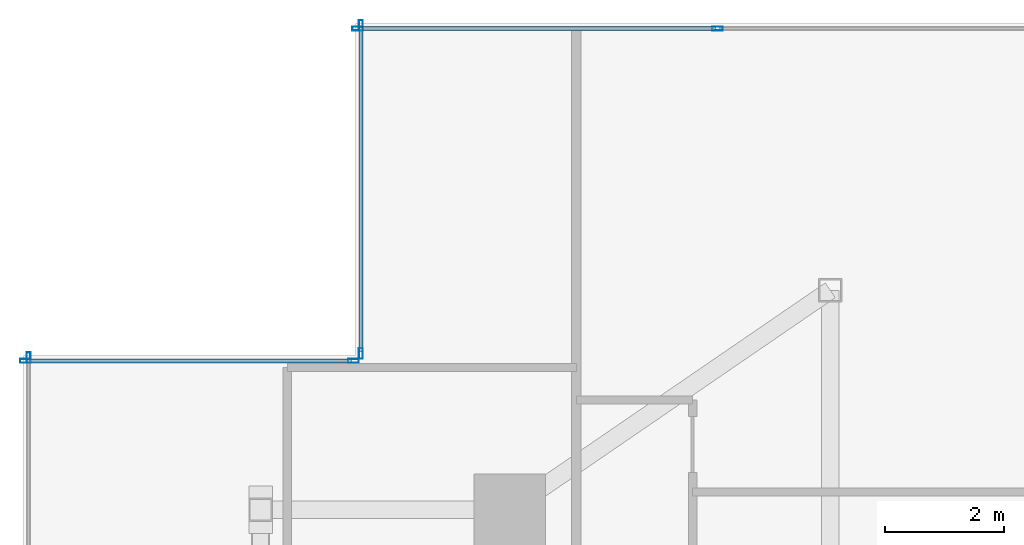
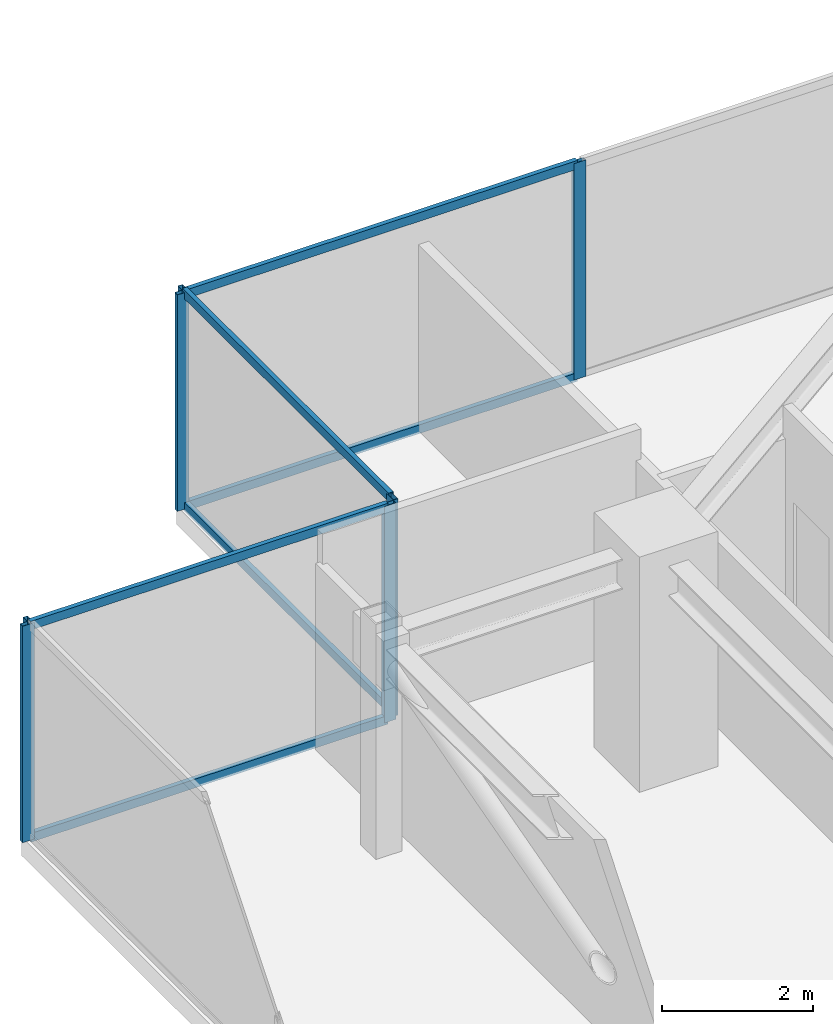
# One storey, part 19 of 25: 13 members, 4 elements without a shape of their own.
"""IFC4 building model written with IfcOpenShell, lengths in metres."""

from ifc_helpers import new_model, si_unit, direction, frame, origin, origin_2d, place, context, subcontext, project, spatial, hollow_rectangle, extrude, source, transform, mapped, material, material_profile, profile_set, type_object, type_shapes, element, aggregate, save


model = new_model("IFC4")

# Units and contexts
model_context = context("Model", 3, precision=1e-05, world=origin(), true_north=direction((0.0, 1.0)))
body_context = subcontext(model_context, "Body", "Model", "MODEL_VIEW")
ifc_project = project(units=[si_unit("LENGTHUNIT", "METRE"), si_unit("AREAUNIT", "SQUARE_METRE"), si_unit("VOLUMEUNIT", "CUBIC_METRE"), si_unit("PLANEANGLEUNIT", "RADIAN"), si_unit("MASSUNIT", "GRAM", prefix="KILO")], contexts=[model_context])

# Site, building, storey
site_placement = place(None, origin())
site = spatial("IfcSite", under=ifc_project, at=site_placement, CompositionType="ELEMENT")
building_placement = place(site_placement, origin())
building = spatial("IfcBuilding", under=site, at=building_placement, Name="Krantzveldt Concourse Tower", CompositionType="ELEMENT")
storey_placement = place(building_placement, frame((0.0, 0.0, 367.050048828125)))
storey = spatial("IfcBuildingStorey", under=building, at=storey_placement, Name="L90", CompositionType="ELEMENT", Elevation=367.050048828125)

# Curtain wall, members
ifc_material = material(Name="Anodised aluminium 6063-T6", Category="aluminium")
curtain_wall_type = type_object("IfcCurtainWallType", Name="CW7", PredefinedType="USERDEFINED", material=ifc_material)
curtain_wall_1_placement = place(storey_placement, origin())
curtain_wall_1 = element("IfcCurtainWall", 1, at=curtain_wall_1_placement, inside=storey, type_object=curtain_wall_type, Name="CW-L90-WEST-02", ObjectType="UNITISED CURTAIN WALL", PredefinedType="USERDEFINED")
ifc_material_profile_1 = material_profile(ifc_material, hollow_rectangle(XDim=0.070068359375, YDim=0.179931640625, WallThickness=0.0048828125, at=origin_2d()), Name="Anodised aluminium 6063-T6", Category="aluminium")
ifc_profile_set_1 = profile_set([ifc_material_profile_1], Name="Anodised aluminium 6063-T6 - ALU-MULL 180x70x5")
member_type_1 = type_object("IfcMemberType", Name="CW-MUL-180", PredefinedType="MULLION", material=ifc_profile_set_1)
shared_shape_1 = source(origin(), body_context, "Body", "SweptSolid", [
    extrude(hollow_rectangle(XDim=0.070068359375, YDim=0.179931640625, WallThickness=0.0048828125, at=origin_2d()), origin(), (0.0, 0.0, 1.0), 3.5),
])
type_shapes(member_type_1, [shared_shape_1])
member_1_placement = place(storey_placement, frame((28.699951171875, 45.610107421875, 0.0), z_axis=(0.0, 0.0, 1.0), x_axis=(0.0, -1.0, 0.0)))
member_1 = element("IfcMember", 2, at=member_1_placement, type_object=member_type_1, Name="CW-CRN mullion 2", PredefinedType="MULLION", context=body_context, shape_type="MappedRepresentation", body=[
    mapped(shared_shape_1, transform((0.0, 0.0, 0.0), x_axis=(1.0, 0.0, 0.0), y_axis=(0.0, 1.0, 0.0), z_axis=(0.0, 0.0, 1.0), scale=1.0)),
])
member_2_placement = place(storey_placement, frame((22.635009765625, 45.610107421875, 0.0), z_axis=(0.0, 0.0, 1.0), x_axis=(0.0, -1.0, 0.0)))
member_2 = element("IfcMember", 3, at=member_2_placement, type_object=member_type_1, Name="CW-CRN mullion 3", PredefinedType="MULLION", context=body_context, shape_type="MappedRepresentation", body=[
    mapped(shared_shape_1, transform((0.0, 0.0, 0.0), x_axis=(1.0, 0.0, 0.0), y_axis=(0.0, 1.0, 0.0), z_axis=(0.0, 0.0, 1.0), scale=1.0)),
])

curtain_wall_2_placement = place(storey_placement, origin())
curtain_wall_2 = element("IfcCurtainWall", 4, at=curtain_wall_2_placement, inside=storey, type_object=curtain_wall_type, Name="CW-L90-WEST-03", ObjectType="UNITISED CURTAIN WALL", PredefinedType="USERDEFINED")
member_3_placement = place(storey_placement, frame((22.68994140625, 45.6650390625, 0.0), z_axis=(0.0, 0.0, 1.0), x_axis=(1.0, 0.0, 0.0)))
member_3 = element("IfcMember", 5, at=member_3_placement, type_object=member_type_1, Name="CW-CRN mullion 1", PredefinedType="MULLION", context=body_context, shape_type="MappedRepresentation", body=[
    mapped(shared_shape_1, transform((0.0, 0.0, 0.0), x_axis=(1.0, 0.0, 0.0), y_axis=(0.0, 1.0, 0.0), z_axis=(0.0, 0.0, 1.0), scale=1.0)),
])
member_4_placement = place(storey_placement, frame((22.68994140625, 40.135009765625, 0.0), z_axis=(0.0, 0.0, 1.0), x_axis=(1.0, 0.0, 0.0)))
member_4 = element("IfcMember", 6, at=member_4_placement, type_object=member_type_1, Name="CW-CRN mullion 2", PredefinedType="MULLION", context=body_context, shape_type="MappedRepresentation", body=[
    mapped(shared_shape_1, transform((0.0, 0.0, 0.0), x_axis=(1.0, 0.0, 0.0), y_axis=(0.0, 1.0, 0.0), z_axis=(0.0, 0.0, 1.0), scale=1.0)),
])

curtain_wall_3_placement = place(storey_placement, origin())
curtain_wall_3 = element("IfcCurtainWall", 7, at=curtain_wall_3_placement, inside=storey, type_object=curtain_wall_type, Name="CW-L90-WEST-04", ObjectType="UNITISED CURTAIN WALL", PredefinedType="USERDEFINED")
member_5_placement = place(storey_placement, frame((22.56494140625, 40.010009765625, 0.0), z_axis=(0.0, 0.0, 1.0), x_axis=(0.0, -1.0, 0.0)))
member_5 = element("IfcMember", 8, at=member_5_placement, type_object=member_type_1, Name="CW-CRN mullion 1", PredefinedType="MULLION", context=body_context, shape_type="MappedRepresentation", body=[
    mapped(shared_shape_1, transform((0.0, 0.0, 0.0), x_axis=(1.0, 0.0, 0.0), y_axis=(0.0, 1.0, 0.0), z_axis=(0.0, 0.0, 1.0), scale=1.0)),
])
member_6_placement = place(storey_placement, frame((17.034912109375, 40.010009765625, 0.0), z_axis=(0.0, 0.0, 1.0), x_axis=(0.0, -1.0, 0.0)))
member_6 = element("IfcMember", 9, at=member_6_placement, type_object=member_type_1, Name="CW-CRN mullion 2", PredefinedType="MULLION", context=body_context, shape_type="MappedRepresentation", body=[
    mapped(shared_shape_1, transform((0.0, 0.0, 0.0), x_axis=(1.0, 0.0, 0.0), y_axis=(0.0, 1.0, 0.0), z_axis=(0.0, 0.0, 1.0), scale=1.0)),
])

# Curtain wall, member
curtain_wall_4_placement = place(storey_placement, origin())
curtain_wall_4 = element("IfcCurtainWall", 10, at=curtain_wall_4_placement, inside=storey, type_object=curtain_wall_type, Name="CW-L90-WEST-05", ObjectType="UNITISED CURTAIN WALL", PredefinedType="USERDEFINED")
member_7_placement = place(storey_placement, frame((17.090087890625, 40.06494140625, 0.0), z_axis=(0.0, 0.0, 1.0), x_axis=(1.0, 0.0, 0.0)))
member_7 = element("IfcMember", 11, at=member_7_placement, type_object=member_type_1, Name="CW-CRN mullion 1", PredefinedType="MULLION", context=body_context, shape_type="MappedRepresentation", body=[
    mapped(shared_shape_1, transform((0.0, 0.0, 0.0), x_axis=(1.0, 0.0, 0.0), y_axis=(0.0, 1.0, 0.0), z_axis=(0.0, 0.0, 1.0), scale=1.0)),
])
aggregate(curtain_wall_4, [member_7])

# Member
ifc_material_profile_2 = material_profile(ifc_material, hollow_rectangle(XDim=0.070068359375, YDim=0.139892578125, WallThickness=0.0048828125, at=origin_2d()), Name="Anodised aluminium 6063-T6", Category="aluminium")
ifc_profile_set_2 = profile_set([ifc_material_profile_2], Name="Anodised aluminium 6063-T6 - ALU-TRAN 140x70x5")
member_type_2 = type_object("IfcMemberType", Name="CW-TRN-150", PredefinedType="USERDEFINED", material=ifc_profile_set_2)
shared_shape_2 = source(origin(), body_context, "Body", "SweptSolid", [
    extrude(hollow_rectangle(XDim=0.070068359375, YDim=0.139892578125, WallThickness=0.0048828125, at=origin_2d()), origin(), (0.0, 0.0, 1.0), 5.4599609375),
])
member_8_placement = place(storey_placement, frame((22.68994140625, 45.6298828125, 0.034912109375), z_axis=(0.0, -1.0, 0.0), x_axis=(1.0, 0.0, 0.0)))
member_8 = element("IfcMember", 12, at=member_8_placement, type_object=member_type_2, Name="CW-CRN transom 1.1", ObjectType="TRANSOM", PredefinedType="USERDEFINED", context=body_context, shape_type="MappedRepresentation", body=[
    mapped(shared_shape_2, transform((0.0, 0.0, 0.0), x_axis=(1.0, 0.0, 0.0), y_axis=(0.0, 1.0, 0.0), z_axis=(0.0, 0.0, 1.0), scale=1.0)),
])

member_9_placement = place(storey_placement, frame((22.68994140625, 45.6298828125, 3.46484375), z_axis=(0.0, -1.0, 0.0), x_axis=(1.0, 0.0, 0.0)))
member_9 = element("IfcMember", 13, at=member_9_placement, type_object=member_type_2, Name="CW-CRN transom 1.2", ObjectType="TRANSOM", PredefinedType="USERDEFINED", context=body_context, shape_type="MappedRepresentation", body=[
    mapped(shared_shape_2, transform((0.0, 0.0, 0.0), x_axis=(1.0, 0.0, 0.0), y_axis=(0.0, 1.0, 0.0), z_axis=(0.0, 0.0, 1.0), scale=1.0)),
])

aggregate(curtain_wall_2, [member_3, member_4, member_8, member_9])

member_10_placement = place(storey_placement, frame((22.530029296875, 40.010009765625, 0.034912109375), z_axis=(-1.0, 0.0, 0.0), x_axis=(0.0, -1.0, 0.0)))
member_10 = element("IfcMember", 14, at=member_10_placement, type_object=member_type_2, Name="CW-CRN transom 1.1", ObjectType="TRANSOM", PredefinedType="USERDEFINED", context=body_context, shape_type="MappedRepresentation", body=[
    mapped(shared_shape_2, transform((0.0, 0.0, 0.0), x_axis=(1.0, 0.0, 0.0), y_axis=(0.0, 1.0, 0.0), z_axis=(0.0, 0.0, 1.0), scale=1.0)),
])

member_11_placement = place(storey_placement, frame((22.530029296875, 40.010009765625, 3.46484375), z_axis=(-1.0, 0.0, 0.0), x_axis=(0.0, -1.0, 0.0)))
member_11 = element("IfcMember", 15, at=member_11_placement, type_object=member_type_2, Name="CW-CRN transom 1.2", ObjectType="TRANSOM", PredefinedType="USERDEFINED", context=body_context, shape_type="MappedRepresentation", body=[
    mapped(shared_shape_2, transform((0.0, 0.0, 0.0), x_axis=(1.0, 0.0, 0.0), y_axis=(0.0, 1.0, 0.0), z_axis=(0.0, 0.0, 1.0), scale=1.0)),
])

aggregate(curtain_wall_3, [member_5, member_6, member_10, member_11])

shared_shape_3 = source(origin(), body_context, "Body", "SweptSolid", [
    extrude(hollow_rectangle(XDim=0.070068359375, YDim=0.139892578125, WallThickness=0.0048828125, at=origin_2d()), origin(), (0.0, 0.0, 1.0), 5.9951171875),
])
type_shapes(member_type_2, [shared_shape_2, shared_shape_3])
member_12_placement = place(storey_placement, frame((28.6650390625, 45.610107421875, 0.034912109375), z_axis=(-1.0, 0.0, 0.0), x_axis=(0.0, -1.0, 0.0)))
member_12 = element("IfcMember", 16, at=member_12_placement, type_object=member_type_2, Name="CW-CRN transom 2.1", ObjectType="TRANSOM", PredefinedType="USERDEFINED", context=body_context, shape_type="MappedRepresentation", body=[
    mapped(shared_shape_3, transform((0.0, 0.0, 0.0), x_axis=(1.0, 0.0, 0.0), y_axis=(0.0, 1.0, 0.0), z_axis=(0.0, 0.0, 1.0), scale=1.0)),
])

member_13_placement = place(storey_placement, frame((28.6650390625, 45.610107421875, 3.46484375), z_axis=(-1.0, 0.0, 0.0), x_axis=(0.0, -1.0, 0.0)))
member_13 = element("IfcMember", 17, at=member_13_placement, type_object=member_type_2, Name="CW-CRN transom 2.2", ObjectType="TRANSOM", PredefinedType="USERDEFINED", context=body_context, shape_type="MappedRepresentation", body=[
    mapped(shared_shape_3, transform((0.0, 0.0, 0.0), x_axis=(1.0, 0.0, 0.0), y_axis=(0.0, 1.0, 0.0), z_axis=(0.0, 0.0, 1.0), scale=1.0)),
])

aggregate(curtain_wall_1, [member_1, member_2, member_12, member_13])

save(model, "model.ifc")
